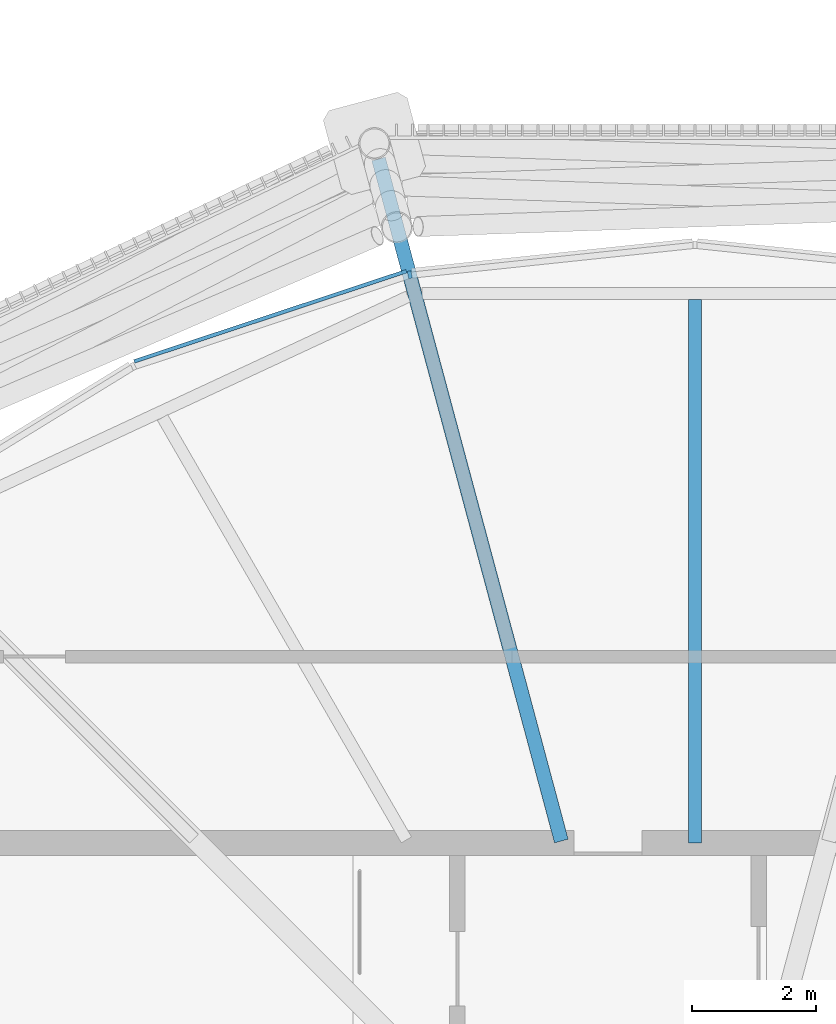
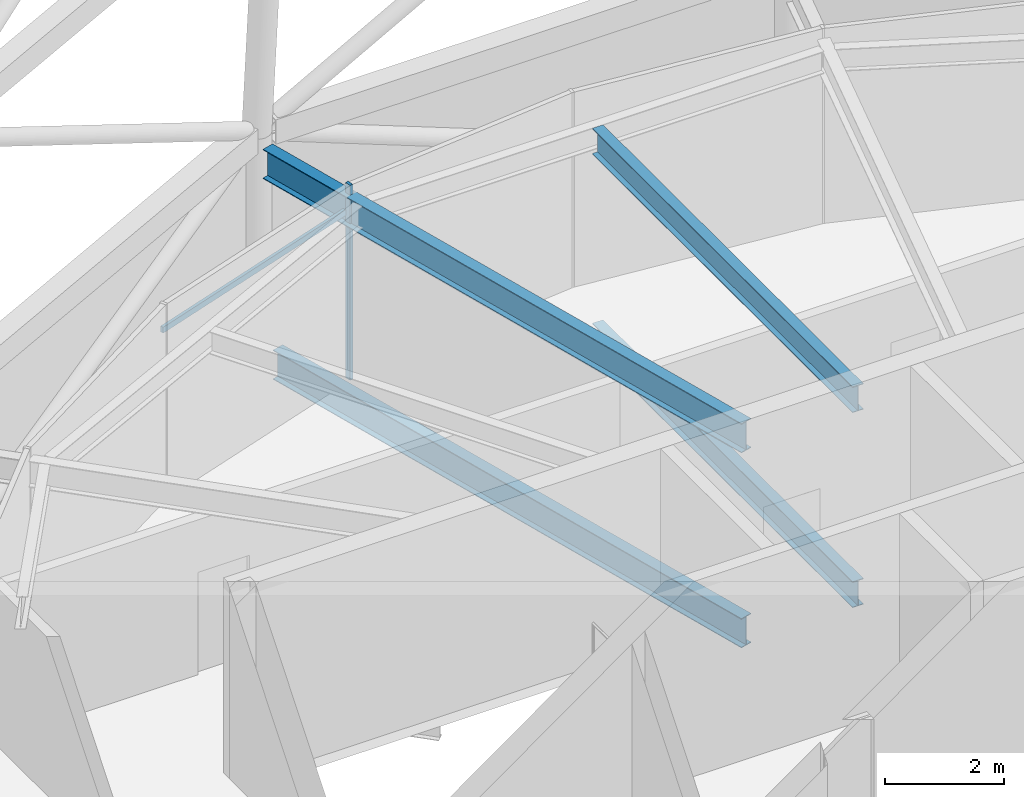
# One storey, part 30 of 71: 4 beams, 2 members, 1 element without a shape of its own.
"""IFC4 building model written with IfcOpenShell, lengths in metres."""

from ifc_helpers import new_model, si_unit, direction, frame, origin, origin_2d, place, context, subcontext, project, spatial, rectangle, i_section, extrude, material, material_profile, profile_set, type_object, element, aggregate, save


model = new_model("IFC4")

# Units and contexts
model_context = context("Model", 3, precision=1e-05, world=origin(), true_north=direction((0.0, 1.0)))
body_context = subcontext(model_context, "Body", "Model", "MODEL_VIEW")
ifc_project = project(units=[si_unit("LENGTHUNIT", "METRE"), si_unit("AREAUNIT", "SQUARE_METRE"), si_unit("VOLUMEUNIT", "CUBIC_METRE"), si_unit("PLANEANGLEUNIT", "RADIAN"), si_unit("MASSUNIT", "GRAM", prefix="KILO")], contexts=[model_context])

# Site, building, storey
site_placement = place(None, origin())
site = spatial("IfcSite", under=ifc_project, at=site_placement, CompositionType="ELEMENT")
building_placement = place(site_placement, origin())
building = spatial("IfcBuilding", under=site, at=building_placement, Name="Rimbun Link Towers", CompositionType="ELEMENT")
storey_placement = place(building_placement, frame((0.0, 0.0, 267.60009765625)))
storey = spatial("IfcBuildingStorey", under=building, at=storey_placement, Name="L65", CompositionType="ELEMENT", Elevation=267.60009765625)

# Curtain wall, members
ifc_material_1 = material(Name="Aluminium 6063-T6 louvre wall", Category="aluminium")
curtain_wall_type = type_object("IfcCurtainWallType", Name="CW6 plant floor louvre wall", PredefinedType="NOTDEFINED", material=ifc_material_1)
curtain_wall_placement = place(storey_placement, origin())
curtain_wall = element("IfcCurtainWall", 1, at=curtain_wall_placement, inside=storey, type_object=curtain_wall_type, Name="CW6 L65 T1", PredefinedType="NOTDEFINED")
ifc_material_2 = material(Name="Aluminium 6063-T6", Category="aluminium")
ifc_material_profile_1 = material_profile(ifc_material_2, rectangle(XDim=0.1201171875, YDim=0.06005859375, at=origin_2d()), Name="MULLION 60X120")
ifc_profile_set_1 = profile_set([ifc_material_profile_1], Name="Aluminium 6063-T6")
member_type_1 = type_object("IfcMemberType", Name="CW6 mullion 60X120", PredefinedType="MULLION", material=ifc_profile_set_1)
member_1_placement = place(storey_placement, frame((-36.3427734375, 17.151611328125, 0.0), z_axis=(0.0, 0.0, 1.0), x_axis=(-0.210863236685, 0.977515572978, 0.0)))
member_1 = element("IfcMember", 2, at=member_1_placement, type_object=member_type_1, Name="CW6 mullion", PredefinedType="MULLION", context=body_context, shape_type="SweptSolid", body=[
    extrude(rectangle(XDim=0.1201171875, YDim=0.06005859375, at=origin_2d()), origin(), (0.0, 0.0, 1.0), 4.0),
])
ifc_material_3 = material(Name="Aluminium 6063-T6", Category="aluminium")
ifc_material_profile_2 = material_profile(ifc_material_3, rectangle(XDim=0.06005859375, YDim=0.1201171875, at=origin_2d()), Name="TRANSOM 60X120")
ifc_profile_set_2 = profile_set([ifc_material_profile_2], Name="Aluminium 6063-T6")
member_type_2 = type_object("IfcMemberType", Name="CW6 transom 60X120", PredefinedType="USERDEFINED", material=ifc_profile_set_2)
member_2_placement = place(storey_placement, frame((-40.78173828125, 15.754638671875, 3.39990234375), z_axis=(0.949226572325, 0.314593252299, 0.0), x_axis=(-0.314593252299, 0.949226572325, 0.0)))
member_2 = element("IfcMember", 3, at=member_2_placement, type_object=member_type_2, Name="CW6 transom", ObjectType="TRANSOM", PredefinedType="USERDEFINED", context=body_context, shape_type="SweptSolid", body=[
    extrude(rectangle(XDim=0.06005859375, YDim=0.1201171875, at=origin_2d()), origin(), (0.0, 0.0, 1.0), 4.61669921875),
])
aggregate(curtain_wall, [member_1, member_2])

# Beams
ifc_material_4 = material(Name="Steel S355J2", Category="steel")
ifc_material_profile_3 = material_profile(ifc_material_4, i_section(OverallWidth=0.209228515625, OverallDepth=0.533203125, WebThickness=0.010009765625, FlangeThickness=0.015625, at=origin_2d()), Name="UB 533x210x92")
ifc_profile_set_3 = profile_set([ifc_material_profile_3], Name="Steel S355J2")
beam_type_1 = type_object("IfcBeamType", Name="UB 533x210x92", PredefinedType="BEAM", material=ifc_profile_set_3)
for number, where, z_axis, x_axis, name in (
    (4, (-31.75, 8.0009765625, -0.466552734375), (0.0, 1.0, 0.0), (-1.0, 0.0, 0.0), "Radial beam T1 L65 06"),
    (5, (-31.75, 8.0009765625, 3.533447265625), (0.0, 1.0, 0.0), (-1.0, 0.0, 0.0), "Radial beam T1 L65 06"),
):
    element("IfcBeam", number, at=place(storey_placement, frame(where, z_axis=z_axis, x_axis=x_axis)), inside=storey, type_object=beam_type_1, Name=name, PredefinedType="BEAM", context=body_context, shape_type="SweptSolid", body=[
        extrude(i_section(OverallWidth=0.209228515625, OverallDepth=0.533203125, WebThickness=0.010009765625, FlangeThickness=0.015625, at=origin_2d()), origin(), (0.0, 0.0, 1.0), 8.751708984375),
    ])
ifc_material_5 = material(Name="Steel S355J2", Category="steel")
ifc_material_profile_4 = material_profile(ifc_material_5, i_section(OverallWidth=0.2275390625, OverallDepth=0.6025390625, WebThickness=0.010498046875, FlangeThickness=0.014892578125, at=origin_2d()), Name="UB 610x229x101")
ifc_profile_set_4 = profile_set([ifc_material_profile_4], Name="Steel S355J2")
beam_type_2 = type_object("IfcBeamType", Name="UB 610x229x101", PredefinedType="BEAM", material=ifc_profile_set_4)
beam_1_placement = place(storey_placement, frame((-33.90185546875, 8.030517578125, -0.50146484375), z_axis=(-0.258813187095, 0.965927395918, 0.0), x_axis=(-0.965927395918, -0.258813187095, 0.0)))
element("IfcBeam", 6, at=beam_1_placement, inside=storey, type_object=beam_type_2, Name="Radial beam T1 L65 07", PredefinedType="BEAM", context=body_context, shape_type="SweptSolid", body=[
    extrude(i_section(OverallWidth=0.2275390625, OverallDepth=0.6025390625, WebThickness=0.010498046875, FlangeThickness=0.014892578125, at=origin_2d()), origin(), (0.0, 0.0, 1.0), 11.132080078125),
])
beam_2_placement = place(storey_placement, frame((-33.90185546875, 8.030517578125, 3.49853515625), z_axis=(-0.258822289697, 0.965924956897, 0.0), x_axis=(-0.965924956897, -0.258822289697, 0.0)))
element("IfcBeam", 7, at=beam_2_placement, inside=storey, type_object=beam_type_2, Name="Radial beam T1 L65 07", PredefinedType="BEAM", context=body_context, shape_type="SweptSolid", body=[
    extrude(i_section(OverallWidth=0.2275390625, OverallDepth=0.6025390625, WebThickness=0.010498046875, FlangeThickness=0.014892578125, at=origin_2d()), origin(), (0.0, 0.0, 1.0), 11.3720703125),
])

save(model, "model.ifc")
